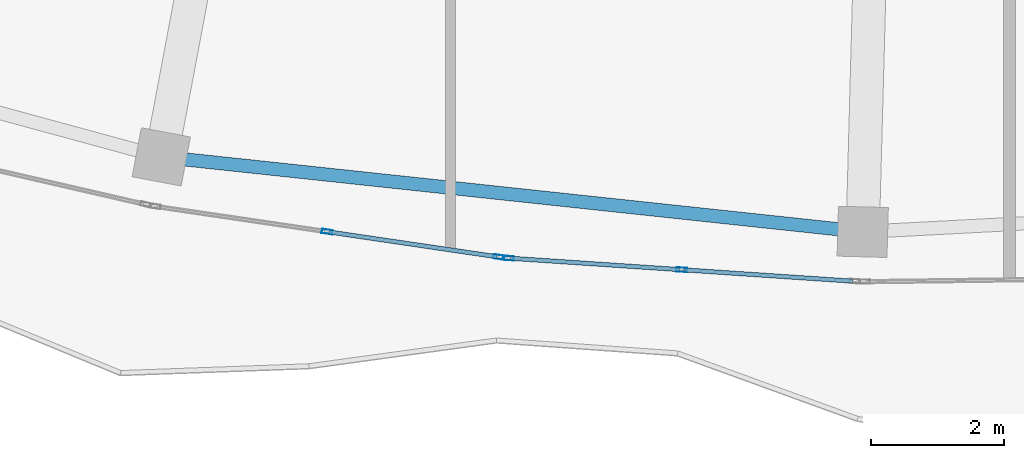
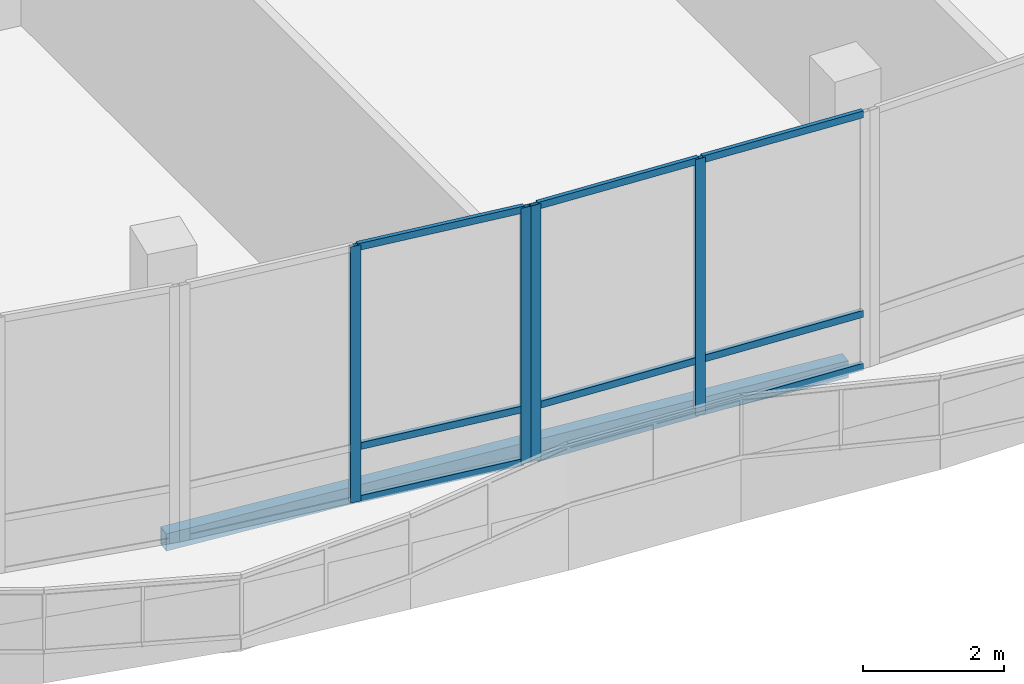
# One storey, part 22 of 168: 13 members, 1 beam, 2 elements without a shape of their own.
"""IFC4 building model written with IfcOpenShell, lengths in metres."""

from ifc_helpers import new_model, si_unit, direction, frame, origin, origin_2d, place, context, subcontext, project, spatial, hollow_rectangle, extrude, material, material_profile, profile_set, type_object, element, aggregate, save


model = new_model("IFC4")

# Units and contexts
model_context = context("Model", 3, precision=1e-05, world=origin(), true_north=direction((0.0, 1.0)))
body_context = subcontext(model_context, "Body", "Model", "MODEL_VIEW")
ifc_project = project(units=[si_unit("LENGTHUNIT", "METRE"), si_unit("AREAUNIT", "SQUARE_METRE"), si_unit("VOLUMEUNIT", "CUBIC_METRE"), si_unit("PLANEANGLEUNIT", "RADIAN"), si_unit("MASSUNIT", "GRAM", prefix="KILO")], contexts=[model_context])

# Site, building, storey
site_placement = place(None, origin())
site = spatial("IfcSite", under=ifc_project, at=site_placement, CompositionType="ELEMENT")
building_placement = place(site_placement, origin())
building = spatial("IfcBuilding", under=site, at=building_placement, Name="Selatvlak General Hospital", CompositionType="ELEMENT")
storey_placement = place(building_placement, frame((0.0, 0.0, 5.39990234375)))
storey = spatial("IfcBuildingStorey", under=building, at=storey_placement, Name="L01", CompositionType="ELEMENT", Elevation=5.39990234375)

# Beam
ifc_material_1 = material(Name="Steel S355", Category="steel")
ifc_material_profile_1 = material_profile(ifc_material_1, hollow_rectangle(XDim=0.199951171875, YDim=0.300048828125, WallThickness=0.011962890625, at=origin_2d()), Name="RHS 300x200x12")
ifc_profile_set_1 = profile_set([ifc_material_profile_1], Name="Steel S355")
beam_type = type_object("IfcBeamType", Name="BM-SP3", PredefinedType="SPANDREL", material=ifc_profile_set_1)
beam_placement = place(storey_placement, frame((43.652099609375, 13.902099609375, -0.469970703125), z_axis=(0.99433421111, -0.106298996311, 0.0), x_axis=(0.106298996311, 0.99433421111, 0.0)))
element("IfcBeam", 1, at=beam_placement, inside=storey, type_object=beam_type, Name="Beam BMR-L01-0752", PredefinedType="SPANDREL", context=body_context, shape_type="SweptSolid", body=[
    extrude(hollow_rectangle(XDim=0.199951171875, YDim=0.300048828125, WallThickness=0.011962890625, at=origin_2d()), origin(), (0.0, 0.0, 1.0), 10.60400390625),
])

# Curtain wall, members
ifc_material_2 = material(Name="Solar-control Low-E double glazing", Category="glass")
curtain_wall_type_1 = type_object("IfcCurtainWallType", Name="CW-CW-02", PredefinedType="USERDEFINED", material=ifc_material_2)
curtain_wall_1_placement = place(storey_placement, origin())
curtain_wall_1 = element("IfcCurtainWall", 2, at=curtain_wall_1_placement, inside=storey, type_object=curtain_wall_type_1, Name="Glazed facade curtain wall CW-L01-0176", ObjectType="UNITISED CURTAIN WALL", PredefinedType="USERDEFINED")
ifc_material_3 = material(Name="Dark anodised aluminium mullion", Category="aluminium")
ifc_material_profile_2 = material_profile(ifc_material_3, hollow_rectangle(XDim=0.06494140625, YDim=0.159912109375, WallThickness=0.00390625, at=origin_2d()), Name="AL-MUL 65x160x4")
ifc_profile_set_2 = profile_set([ifc_material_profile_2], Name="Dark anodised aluminium mullion")
member_type_1 = type_object("IfcMemberType", Name="CWM-01", PredefinedType="MULLION", material=ifc_profile_set_2)
member_1_placement = place(storey_placement, frame((51.47509765625, 12.20556640625, 0.0), z_axis=(0.0, 0.0, 1.0), x_axis=(-0.066782696801, -0.997767543774, 0.0)))
member_1 = element("IfcMember", 3, at=member_1_placement, type_object=member_type_1, Name="CW-02 mullion 2", PredefinedType="MULLION", context=body_context, shape_type="SweptSolid", body=[
    extrude(hollow_rectangle(XDim=0.06494140625, YDim=0.159912109375, WallThickness=0.00390625, at=origin_2d()), origin(), (0.0, 0.0, 1.0), 4.445068359375),
])
member_2_placement = place(storey_placement, frame((48.870361328125, 12.3798828125, 0.0), z_axis=(0.0, 0.0, 1.0), x_axis=(-0.066782696801, -0.997767543774, 0.0)))
member_2 = element("IfcMember", 4, at=member_2_placement, type_object=member_type_1, Name="CW-02 mullion 3", PredefinedType="MULLION", context=body_context, shape_type="SweptSolid", body=[
    extrude(hollow_rectangle(XDim=0.06494140625, YDim=0.159912109375, WallThickness=0.00390625, at=origin_2d()), origin(), (0.0, 0.0, 1.0), 4.445068359375),
])

curtain_wall_type_2 = type_object("IfcCurtainWallType", Name="CW-CW-01", PredefinedType="USERDEFINED", material=ifc_material_2)
curtain_wall_2_placement = place(storey_placement, origin())
curtain_wall_2 = element("IfcCurtainWall", 5, at=curtain_wall_2_placement, inside=storey, type_object=curtain_wall_type_2, Name="Glazed facade curtain wall CW-L01-0177", ObjectType="UNITISED CURTAIN WALL", PredefinedType="USERDEFINED")
member_3_placement = place(storey_placement, frame((48.726806640625, 12.396728515625, 0.0), z_axis=(0.0, 0.0, 1.0), x_axis=(-0.145842510319, -0.989307819732, 0.0)))
member_3 = element("IfcMember", 6, at=member_3_placement, type_object=member_type_1, Name="CW-01 mullion 1", PredefinedType="MULLION", context=body_context, shape_type="SweptSolid", body=[
    extrude(hollow_rectangle(XDim=0.06494140625, YDim=0.159912109375, WallThickness=0.00390625, at=origin_2d()), origin(), (0.0, 0.0, 1.0), 4.445068359375),
])
member_4_placement = place(storey_placement, frame((46.14404296875, 12.777587890625, 0.0), z_axis=(0.0, 0.0, 1.0), x_axis=(-0.145842510319, -0.989307819732, 0.0)))
member_4 = element("IfcMember", 7, at=member_4_placement, type_object=member_type_1, Name="CW-01 mullion 2", PredefinedType="MULLION", context=body_context, shape_type="SweptSolid", body=[
    extrude(hollow_rectangle(XDim=0.06494140625, YDim=0.159912109375, WallThickness=0.00390625, at=origin_2d()), origin(), (0.0, 0.0, 1.0), 4.445068359375),
])

# Member
ifc_material_profile_3 = material_profile(ifc_material_3, hollow_rectangle(XDim=0.06494140625, YDim=0.1201171875, WallThickness=0.00390625, at=origin_2d()), Name="AL-TRN 65x120x4")
ifc_profile_set_3 = profile_set([ifc_material_profile_3], Name="Dark anodised aluminium mullion")
member_type_2 = type_object("IfcMemberType", Name="CWT-01", PredefinedType="USERDEFINED", material=ifc_profile_set_3)
member_5_placement = place(storey_placement, frame((54.047119140625, 12.033447265625, 0.03271484375), z_axis=(-0.997769427698, 0.066754544043, 0.0), x_axis=(-0.066754544043, -0.997769427698, 0.0)))
member_5 = element("IfcMember", 8, at=member_5_placement, type_object=member_type_2, Name="CW-02 transom 1.1", ObjectType="TRANSOM", PredefinedType="USERDEFINED", context=body_context, shape_type="SweptSolid", body=[
    extrude(hollow_rectangle(XDim=0.06494140625, YDim=0.1201171875, WallThickness=0.00390625, at=origin_2d()), origin(), (0.0, 0.0, 1.0), 2.54541015625),
])

member_6_placement = place(storey_placement, frame((54.047119140625, 12.033447265625, 0.9501953125), z_axis=(-0.997769427698, 0.066754544043, 0.0), x_axis=(-0.066754544043, -0.997769427698, 0.0)))
member_6 = element("IfcMember", 9, at=member_6_placement, type_object=member_type_2, Name="CW-02 transom 1.2", ObjectType="TRANSOM", PredefinedType="USERDEFINED", context=body_context, shape_type="SweptSolid", body=[
    extrude(hollow_rectangle(XDim=0.06494140625, YDim=0.1201171875, WallThickness=0.00390625, at=origin_2d()), origin(), (0.0, 0.0, 1.0), 2.54541015625),
])

member_7_placement = place(storey_placement, frame((54.047119140625, 12.033447265625, 4.41259765625), z_axis=(-0.997769427698, 0.066754544043, 0.0), x_axis=(-0.066754544043, -0.997769427698, 0.0)))
member_7 = element("IfcMember", 10, at=member_7_placement, type_object=member_type_2, Name="CW-02 transom 1.3", ObjectType="TRANSOM", PredefinedType="USERDEFINED", context=body_context, shape_type="SweptSolid", body=[
    extrude(hollow_rectangle(XDim=0.06494140625, YDim=0.1201171875, WallThickness=0.00390625, at=origin_2d()), origin(), (0.0, 0.0, 1.0), 2.54541015625),
])

member_8_placement = place(storey_placement, frame((51.442626953125, 12.207763671875, 0.03271484375), z_axis=(-0.997769427698, 0.066754544043, 0.0), x_axis=(-0.066754544043, -0.997769427698, 0.0)))
member_8 = element("IfcMember", 11, at=member_8_placement, type_object=member_type_2, Name="CW-02 transom 2.1", ObjectType="TRANSOM", PredefinedType="USERDEFINED", context=body_context, shape_type="SweptSolid", body=[
    extrude(hollow_rectangle(XDim=0.06494140625, YDim=0.1201171875, WallThickness=0.00390625, at=origin_2d()), origin(), (0.0, 0.0, 1.0), 2.54541015625),
])

member_9_placement = place(storey_placement, frame((51.442626953125, 12.207763671875, 0.9501953125), z_axis=(-0.997769427698, 0.066754544043, 0.0), x_axis=(-0.066754544043, -0.997769427698, 0.0)))
member_9 = element("IfcMember", 12, at=member_9_placement, type_object=member_type_2, Name="CW-02 transom 2.2", ObjectType="TRANSOM", PredefinedType="USERDEFINED", context=body_context, shape_type="SweptSolid", body=[
    extrude(hollow_rectangle(XDim=0.06494140625, YDim=0.1201171875, WallThickness=0.00390625, at=origin_2d()), origin(), (0.0, 0.0, 1.0), 2.54541015625),
])

member_10_placement = place(storey_placement, frame((51.442626953125, 12.207763671875, 4.41259765625), z_axis=(-0.997769427698, 0.066754544043, 0.0), x_axis=(-0.066754544043, -0.997769427698, 0.0)))
member_10 = element("IfcMember", 13, at=member_10_placement, type_object=member_type_2, Name="CW-02 transom 2.3", ObjectType="TRANSOM", PredefinedType="USERDEFINED", context=body_context, shape_type="SweptSolid", body=[
    extrude(hollow_rectangle(XDim=0.06494140625, YDim=0.1201171875, WallThickness=0.00390625, at=origin_2d()), origin(), (0.0, 0.0, 1.0), 2.54541015625),
])

aggregate(curtain_wall_1, [member_1, member_2, member_5, member_6, member_7, member_8, member_9, member_10])

member_11_placement = place(storey_placement, frame((48.694580078125, 12.4013671875, 0.03271484375), z_axis=(-0.989302619904, 0.145877778466, 0.0), x_axis=(-0.145877778466, -0.989302619904, 0.0)))
member_11 = element("IfcMember", 14, at=member_11_placement, type_object=member_type_2, Name="CW-01 transom 1.1", ObjectType="TRANSOM", PredefinedType="USERDEFINED", context=body_context, shape_type="SweptSolid", body=[
    extrude(hollow_rectangle(XDim=0.06494140625, YDim=0.1201171875, WallThickness=0.00390625, at=origin_2d()), origin(), (0.0, 0.0, 1.0), 2.545654296875),
])

member_12_placement = place(storey_placement, frame((48.694580078125, 12.4013671875, 0.9501953125), z_axis=(-0.989302619904, 0.145877778466, 0.0), x_axis=(-0.145877778466, -0.989302619904, 0.0)))
member_12 = element("IfcMember", 15, at=member_12_placement, type_object=member_type_2, Name="CW-01 transom 1.2", ObjectType="TRANSOM", PredefinedType="USERDEFINED", context=body_context, shape_type="SweptSolid", body=[
    extrude(hollow_rectangle(XDim=0.06494140625, YDim=0.1201171875, WallThickness=0.00390625, at=origin_2d()), origin(), (0.0, 0.0, 1.0), 2.545654296875),
])

member_13_placement = place(storey_placement, frame((48.694580078125, 12.4013671875, 4.41259765625), z_axis=(-0.989302619904, 0.145877778466, 0.0), x_axis=(-0.145877778466, -0.989302619904, 0.0)))
member_13 = element("IfcMember", 16, at=member_13_placement, type_object=member_type_2, Name="CW-01 transom 1.3", ObjectType="TRANSOM", PredefinedType="USERDEFINED", context=body_context, shape_type="SweptSolid", body=[
    extrude(hollow_rectangle(XDim=0.06494140625, YDim=0.1201171875, WallThickness=0.00390625, at=origin_2d()), origin(), (0.0, 0.0, 1.0), 2.545654296875),
])

aggregate(curtain_wall_2, [member_3, member_4, member_11, member_12, member_13])

save(model, "model.ifc")
